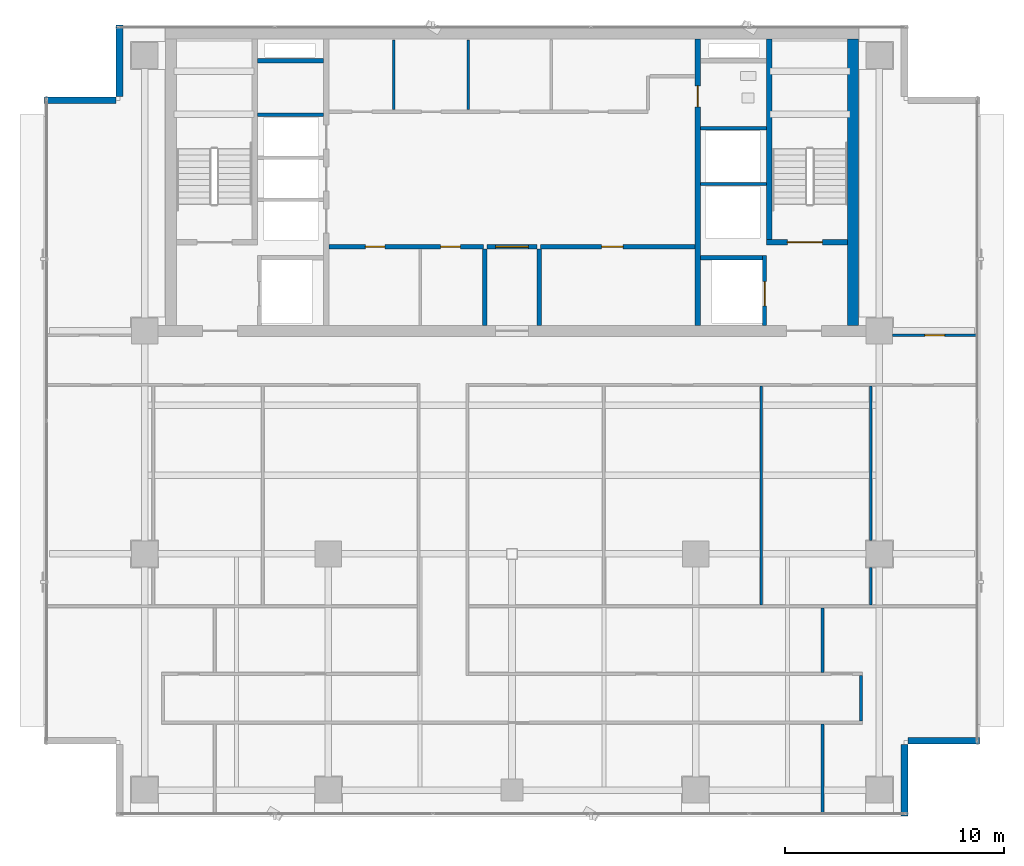
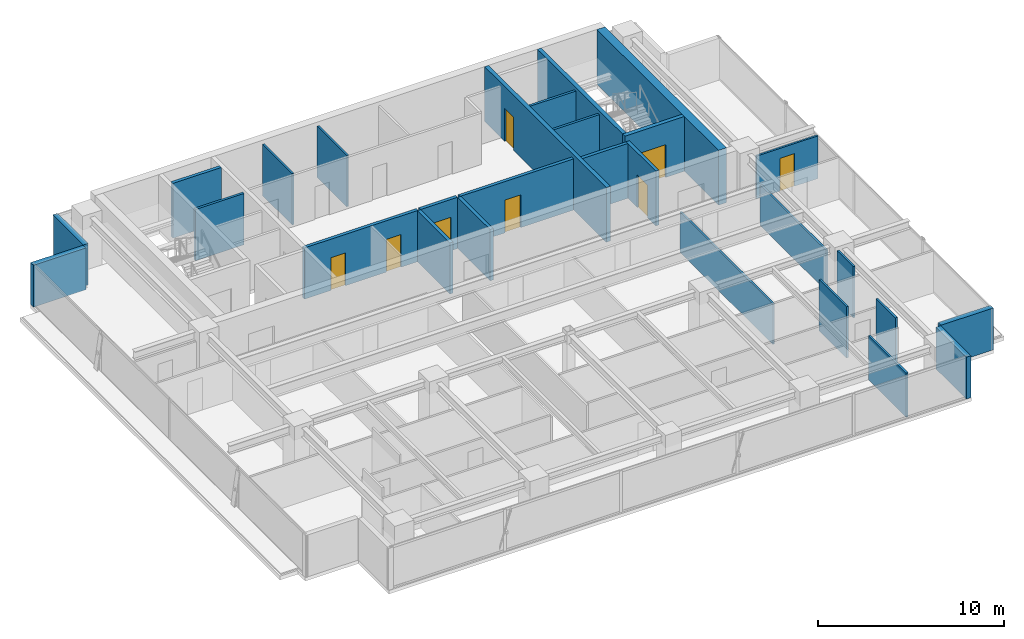
# One storey, part 17 of 22: 28 walls, 8 doors, 8 openings.
"""IFC4 building model written with IfcOpenShell, lengths in metres."""

from ifc_helpers import new_model, si_unit, direction, frame, frame_2d, origin, place, context, subcontext, project, spatial, rectangle, extrude, source, transform, mapped, material, layer, layer_set, type_object, element, fill, save


model = new_model("IFC4")

# Units and contexts
model_context = context("Model", 3, precision=1e-05, world=origin(), true_north=direction((0.0, 1.0)))
body_context = subcontext(model_context, "Body", "Model", "MODEL_VIEW")
ifc_project = project(units=[si_unit("LENGTHUNIT", "METRE"), si_unit("AREAUNIT", "SQUARE_METRE"), si_unit("VOLUMEUNIT", "CUBIC_METRE"), si_unit("PLANEANGLEUNIT", "RADIAN"), si_unit("MASSUNIT", "GRAM", prefix="KILO")], contexts=[model_context])

# Site, building, storey
site_placement = place(None, origin())
site = spatial("IfcSite", under=ifc_project, at=site_placement, CompositionType="ELEMENT")
building_placement = place(site_placement, origin())
building = spatial("IfcBuilding", under=site, at=building_placement, Name="Sumidabori Civic Tower", CompositionType="ELEMENT")
storey_placement = place(building_placement, frame((0.0, 0.0, 272.0)))
storey = spatial("IfcBuildingStorey", under=building, at=storey_placement, Name="L71", CompositionType="ELEMENT", Elevation=272.0)

# Walls
ifc_material_1 = material(Name="Concrete C50/60", Category="concrete")
ifc_layer_1 = layer(ifc_material_1, 0.199951171875, Name="Concrete C50/60")
ifc_layer_set_1 = layer_set([ifc_layer_1], Name="Concrete C50/60")
wall_type_1 = type_object("IfcWallType", Name="WL-SHAFT-200", PredefinedType="SHEAR", material=ifc_layer_set_1)
shared_shape_1 = source(origin(), body_context, "Body", "SweptSolid", [
    extrude(rectangle(XDim=2.824951171875, YDim=0.199951171875, at=frame_2d((1.41259765625, 0.0))), origin(), (0.0, 0.0, 1.0), 3.60009765625),
])
wall_1_placement = place(storey_placement, frame((8.625, 13.550048828125, 0.0), z_axis=(0.0, 0.0, 1.0), x_axis=(1.0, 0.0, 0.0)))
element("IfcWall", 1, at=wall_1_placement, inside=storey, type_object=wall_type_1, Name="Core Shear Wall L71 EL2-N", PredefinedType="SHEAR", context=body_context, shape_type="MappedRepresentation", body=[
    mapped(shared_shape_1, transform((0.0, 0.0, 0.0), x_axis=(1.0, 0.0, 0.0), y_axis=(0.0, 1.0, 0.0), z_axis=(0.0, 0.0, 1.0), scale=1.0)),
])
shared_shape_2 = source(origin(), body_context, "Body", "SweptSolid", [
    extrude(rectangle(XDim=3.02001953125, YDim=0.199951171875, at=frame_2d((1.510009765625, 0.0))), origin(), (0.0, 0.0, 1.0), 3.60009765625),
])
wall_2_placement = place(storey_placement, frame((-11.64501953125, 22.550048828125, 0.0), z_axis=(0.0, 0.0, 1.0), x_axis=(1.0, 0.0, 0.0)))
element("IfcWall", 2, at=wall_2_placement, inside=storey, type_object=wall_type_1, Name="Core Shear Wall L71 RIS1-S", PredefinedType="SHEAR", context=body_context, shape_type="MappedRepresentation", body=[
    mapped(shared_shape_2, transform((0.0, 0.0, 0.0), x_axis=(1.0, 0.0, 0.0), y_axis=(0.0, 1.0, 0.0), z_axis=(0.0, 0.0, 1.0), scale=1.0)),
])
ifc_layer_2 = layer(ifc_material_1, 0.5, Name="Concrete C50/60")
ifc_layer_set_2 = layer_set([ifc_layer_2], Name="Concrete C50/60")
wall_type_2 = type_object("IfcWallType", Name="WL-CORE-500", PredefinedType="SHEAR", material=ifc_layer_set_2)
shared_shape_3 = source(origin(), body_context, "Body", "SweptSolid", [
    extrude(rectangle(XDim=13.10009765625, YDim=0.5, at=frame_2d((6.550048828125, 0.0))), origin(), (0.0, 0.0, 1.0), 3.60009765625),
])
wall_3_placement = place(storey_placement, frame((15.60009765625, 10.449951171875, 0.0), z_axis=(0.0, 0.0, 1.0), x_axis=(0.0, 1.0, 0.0)))
element("IfcWall", 3, at=wall_3_placement, inside=storey, type_object=wall_type_2, Name="Core Shear Wall L71 E", PredefinedType="SHEAR", context=body_context, shape_type="MappedRepresentation", body=[
    mapped(shared_shape_3, transform((0.0, 0.0, 0.0), x_axis=(1.0, 0.0, 0.0), y_axis=(0.0, 1.0, 0.0), z_axis=(0.0, 0.0, 1.0), scale=1.0)),
])

# Wall, opening, door
ifc_layer_3 = layer(ifc_material_1, 0.25, Name="Concrete C50/60")
ifc_layer_set_3 = layer_set([ifc_layer_3], Name="Concrete C50/60")
wall_type_3 = type_object("IfcWallType", Name="WL-SHAFT-250", PredefinedType="SHEAR", material=ifc_layer_set_3)
shared_shape_4 = source(origin(), body_context, "Body", "SweptSolid", [
    extrude(rectangle(XDim=13.10009765625, YDim=0.25, at=frame_2d((6.550048828125, 0.0))), origin(), (0.0, 0.0, 1.0), 3.60009765625),
])
wall_4_placement = place(storey_placement, frame((8.5, 10.449951171875, 0.0), z_axis=(0.0, 0.0, 1.0), x_axis=(0.0, 1.0, 0.0)))
wall_4 = element("IfcWall", 4, at=wall_4_placement, inside=storey, type_object=wall_type_3, Name="Core Shear Wall L71 WEB-E", PredefinedType="SHEAR", context=body_context, shape_type="MappedRepresentation", body=[
    mapped(shared_shape_4, transform((0.0, 0.0, 0.0), x_axis=(1.0, 0.0, 0.0), y_axis=(0.0, 1.0, 0.0), z_axis=(0.0, 0.0, 1.0), scale=1.0)),
])
opening_1_placement = place(wall_4_placement, frame((10.0, 0.0, 0.0)))
opening_1 = element("IfcOpeningElement", 5, at=opening_1_placement, cuts=wall_4, Name="Opening DR-2", PredefinedType="OPENING", context=body_context, shape_type="SweptSolid", body=[
    extrude(rectangle(XDim=0.949951171875, YDim=2.14990234375, at=frame_2d((0.47509765625, 1.074951171875))), frame((0.0, 0.136962890625, 0.0), z_axis=(0.0, -1.0, 0.0), x_axis=(1.0, 0.0, 0.0)), (0.0, 0.0, 1.0), 0.27392578125),
])
ifc_material_2 = material(Name="Japanese Hinoki Timber", Category="wood")
door_type_1 = type_object("IfcDoorType", Name="DR-INT-950", OperationType="NOTDEFINED", PredefinedType="DOOR", material=ifc_material_2)
shared_shape_5 = source(origin(), body_context, "Body", "SweptSolid", [
    extrude(rectangle(XDim=0.949951171875, YDim=2.14990234375, at=frame_2d((0.47509765625, 1.074951171875))), frame((0.0, 0.02490234375, 0.0), z_axis=(0.0, -1.0, 0.0), x_axis=(1.0, 0.0, 0.0)), (0.0, 0.0, 1.0), 0.050048828125),
])
door_1_placement = place(opening_1_placement, origin())
door_1 = element("IfcDoor", 6, at=door_1_placement, inside=storey, type_object=door_type_1, Name="Door DR:L71:WC-ACC", OperationType="SINGLE_SWING_RIGHT", OverallHeight=2.14990234375, OverallWidth=0.949951171875, PredefinedType="DOOR", context=body_context, shape_type="MappedRepresentation", body=[
    mapped(shared_shape_5, transform((0.0, 0.0, 0.0), x_axis=(1.0, 0.0, 0.0), y_axis=(0.0, 1.0, 0.0), z_axis=(0.0, 0.0, 1.0), scale=1.0)),
])
fill(opening_1, door_1)

shared_shape_6 = source(origin(), body_context, "Body", "SweptSolid", [
    extrude(rectangle(XDim=3.705078125, YDim=0.25, at=frame_2d((1.8525390625, 0.0))), origin(), (0.0, 0.0, 1.0), 3.60009765625),
])
wall_5_placement = place(storey_placement, frame((11.64501953125, 14.25, 0.0), z_axis=(0.0, 0.0, 1.0), x_axis=(1.0, 0.0, 0.0)))
wall_5 = element("IfcWall", 7, at=wall_5_placement, inside=storey, type_object=wall_type_3, Name="Core Shear Wall L71 ST2-S", PredefinedType="SHEAR", context=body_context, shape_type="MappedRepresentation", body=[
    mapped(shared_shape_6, transform((0.0, 0.0, 0.0), x_axis=(1.0, 0.0, 0.0), y_axis=(0.0, 1.0, 0.0), z_axis=(0.0, 0.0, 1.0), scale=1.0)),
])
opening_2_placement = place(wall_5_placement, frame((0.949951171875, 0.0, 0.0)))
opening_2 = element("IfcOpeningElement", 8, at=opening_2_placement, cuts=wall_5, Name="Opening DR-FD4", PredefinedType="OPENING", context=body_context, shape_type="SweptSolid", body=[
    extrude(rectangle(XDim=1.60009765625, YDim=2.14990234375, at=frame_2d((0.800048828125, 1.074951171875))), frame((0.0, 0.136962890625, 0.0), z_axis=(0.0, -1.0, 0.0), x_axis=(1.0, 0.0, 0.0)), (0.0, 0.0, 1.0), 0.27392578125),
])
ifc_material_3 = material(Name="Steel SN490", Category="steel")
door_type_2 = type_object("IfcDoorType", Name="DR-FD4", OperationType="DOUBLE_DOOR_SINGLE_SWING", PredefinedType="DOOR", material=ifc_material_3)
shared_shape_7 = source(origin(), body_context, "Body", "SweptSolid", [
    extrude(rectangle(XDim=1.60009765625, YDim=2.14990234375, at=frame_2d((0.800048828125, 1.074951171875))), frame((0.0, 0.02490234375, 0.0), z_axis=(0.0, -1.0, 0.0), x_axis=(1.0, 0.0, 0.0)), (0.0, 0.0, 1.0), 0.050048828125),
])
door_2_placement = place(opening_2_placement, origin())
door_2 = element("IfcDoor", 9, at=door_2_placement, inside=storey, type_object=door_type_2, Name="Door DR:L71:ST2", OperationType="DOUBLE_DOOR_SINGLE_SWING", OverallHeight=2.14990234375, OverallWidth=1.60009765625, PredefinedType="DOOR", context=body_context, shape_type="MappedRepresentation", body=[
    mapped(shared_shape_7, transform((0.0, 0.0, 0.0), x_axis=(1.0, 0.0, 0.0), y_axis=(0.0, 1.0, 0.0), z_axis=(0.0, 0.0, 1.0), scale=1.0)),
])
fill(opening_2, door_2)

# Wall
shared_shape_8 = source(origin(), body_context, "Body", "SweptSolid", [
    extrude(rectangle(XDim=9.175048828125, YDim=0.25, at=frame_2d((4.58740234375, 0.0))), origin(), (0.0, 0.0, 1.0), 3.60009765625),
])
wall_6_placement = place(storey_placement, frame((11.77001953125, 14.375, 0.0), z_axis=(0.0, 0.0, 1.0), x_axis=(0.0, 1.0, 0.0)))
element("IfcWall", 10, at=wall_6_placement, inside=storey, type_object=wall_type_3, Name="Core Shear Wall L71 ST2-W", PredefinedType="SHEAR", context=body_context, shape_type="MappedRepresentation", body=[
    mapped(shared_shape_8, transform((0.0, 0.0, 0.0), x_axis=(1.0, 0.0, 0.0), y_axis=(0.0, 1.0, 0.0), z_axis=(0.0, 0.0, 1.0), scale=1.0)),
])

# Wall, opening, door
shared_shape_9 = source(origin(), body_context, "Body", "SweptSolid", [
    extrude(rectangle(XDim=3.199951171875, YDim=0.199951171875, at=frame_2d((1.60009765625, 0.0))), origin(), (0.0, 0.0, 1.0), 3.60009765625),
])
wall_7_placement = place(storey_placement, frame((11.550048828125, 10.449951171875, 0.0), z_axis=(0.0, 0.0, 1.0), x_axis=(0.0, 1.0, 0.0)))
wall_7 = element("IfcWall", 11, at=wall_7_placement, inside=storey, type_object=wall_type_1, Name="Core Shear Wall L71 EL2-E", PredefinedType="SHEAR", context=body_context, shape_type="MappedRepresentation", body=[
    mapped(shared_shape_9, transform((0.0, 0.0, 0.0), x_axis=(1.0, 0.0, 0.0), y_axis=(0.0, 1.0, 0.0), z_axis=(0.0, 0.0, 1.0), scale=1.0)),
])
opening_3_placement = place(wall_7_placement, frame((0.89990234375, 0.0, 0.0)))
opening_3 = element("IfcOpeningElement", 12, at=opening_3_placement, cuts=wall_7, Name="Opening LD-2", PredefinedType="OPENING", context=body_context, shape_type="SweptSolid", body=[
    extrude(rectangle(XDim=1.10009765625, YDim=2.14990234375, at=frame_2d((0.550048828125, 1.074951171875))), frame((0.0, 0.11181640625, 0.0), z_axis=(0.0, -1.0, 0.0), x_axis=(1.0, 0.0, 0.0)), (0.0, 0.0, 1.0), 0.223876953125),
])
ifc_material_4 = material(Name="Stainless Steel Hairline Finish", Category="steel")
door_type_3 = type_object("IfcDoorType", Name="DR-LD2", OperationType="DOUBLE_DOOR_SLIDING", PredefinedType="DOOR", material=ifc_material_4)
shared_shape_10 = source(origin(), body_context, "Body", "SweptSolid", [
    extrude(rectangle(XDim=1.10009765625, YDim=2.14990234375, at=frame_2d((0.550048828125, 1.074951171875))), frame((0.0, 0.02490234375, 0.0), z_axis=(0.0, -1.0, 0.0), x_axis=(1.0, 0.0, 0.0)), (0.0, 0.0, 1.0), 0.050048828125),
])
door_3_placement = place(opening_3_placement, origin())
door_3 = element("IfcDoor", 13, at=door_3_placement, inside=storey, type_object=door_type_3, Name="Door DR:L71:LD-EL2", OperationType="DOUBLE_DOOR_SLIDING", OverallHeight=2.14990234375, OverallWidth=1.10009765625, PredefinedType="DOOR", context=body_context, shape_type="MappedRepresentation", body=[
    mapped(shared_shape_10, transform((0.0, 0.0, 0.0), x_axis=(1.0, 0.0, 0.0), y_axis=(0.0, 1.0, 0.0), z_axis=(0.0, 0.0, 1.0), scale=1.0)),
])
fill(opening_3, door_3)

# Walls
ifc_material_5 = material(Name="Precast concrete C40/50", Category="concrete")
ifc_layer_4 = layer(ifc_material_5, 0.300048828125, Name="Precast concrete C40/50")
ifc_layer_set_4 = layer_set([ifc_layer_4], Name="Precast concrete C40/50")
wall_type_4 = type_object("IfcWallType", Name="WL-EXT-POD300", PredefinedType="STANDARD", material=ifc_layer_set_4)
shared_shape_11 = source(origin(), body_context, "Body", "SweptSolid", [
    extrude(rectangle(XDim=3.260009765625, YDim=0.300048828125, at=frame_2d((1.6298828125, 0.0))), origin(), (0.0, 0.0, 1.0), 2.75),
])
for number, where, z_axis, x_axis, name in (
    (14, (17.949951171875, -11.97998046875, 0.0), (0.0, 0.0, 1.0), (0.0, 1.0, 0.0), "Notched Corner Spandrel Band L71-02"),
    (15, (-17.949951171875, 24.179931640625, 0.0), (0.0, 0.0, 1.0), (0.0, -1.0, 0.0), "Notched Corner Spandrel Band L71-08"),
):
    element("IfcWall", number, at=place(storey_placement, frame(where, z_axis=z_axis, x_axis=x_axis)), inside=storey, type_object=wall_type_4, Name=name, PredefinedType="STANDARD", context=body_context, shape_type="MappedRepresentation", body=[
        mapped(shared_shape_11, transform((0.0, 0.0, 0.0), x_axis=(1.0, 0.0, 0.0), y_axis=(0.0, 1.0, 0.0), z_axis=(0.0, 0.0, 1.0), scale=1.0)),
    ])
shared_shape_12 = source(origin(), body_context, "Body", "SweptSolid", [
    extrude(rectangle(XDim=3.259765625, YDim=0.300048828125, at=frame_2d((1.6298828125, 0.0))), origin(), (0.0, 0.0, 1.0), 2.75),
])
for number, where, z_axis, x_axis, name in (
    (16, (18.1201171875, -8.550048828125, 0.0), (0.0, 0.0, 1.0), (1.0, 0.0, 0.0), "Notched Corner Spandrel Band L71-03"),
    (17, (-18.1201171875, 20.75, 0.0), (0.0, 0.0, 1.0), (-1.0, 0.0, 0.0), "Notched Corner Spandrel Band L71-09"),
):
    element("IfcWall", number, at=place(storey_placement, frame(where, z_axis=z_axis, x_axis=x_axis)), inside=storey, type_object=wall_type_4, Name=name, PredefinedType="STANDARD", context=body_context, shape_type="MappedRepresentation", body=[
        mapped(shared_shape_12, transform((0.0, 0.0, 0.0), x_axis=(1.0, 0.0, 0.0), y_axis=(0.0, 1.0, 0.0), z_axis=(0.0, 0.0, 1.0), scale=1.0)),
    ])
ifc_material_6 = material(Name="Gypsum Plasterboard Acoustic Partition")
ifc_layer_5 = layer(ifc_material_6, 0.14990234375, Name="Gypsum Plasterboard Acoustic Partition")
ifc_layer_set_5 = layer_set([ifc_layer_5], Name="Gypsum Plasterboard Acoustic Partition")
wall_type_5 = type_object("IfcWallType", Name="WL-PART-150", PredefinedType="PARTITIONING", material=ifc_layer_set_5)
shared_shape_13 = source(origin(), body_context, "Body", "SweptSolid", [
    extrude(rectangle(XDim=3.010009765625, YDim=0.14990234375, at=frame_2d((1.5048828125, 0.0))), origin(), (0.0, 0.0, 1.0), 3.3701171875),
])
for number, where, z_axis, x_axis, name in (
    (18, (-11.639892578125, 20.080078125, 0.0), (0.0, 0.0, 1.0), (1.0, 0.0, 0.0), "Interior Partition WL:L71:DIV-PLH3"),
    (19, (8.6298828125, 16.919921875, 0.0), (0.0, 0.0, 1.0), (1.0, 0.0, 0.0), "Interior Partition WL:L71:DIV-OBS1"),
    (20, (8.6298828125, 19.469970703125, 0.0), (0.0, 0.0, 1.0), (1.0, 0.0, 0.0), "Interior Partition WL:L71:DIV-OBS2"),
):
    element("IfcWall", number, at=place(storey_placement, frame(where, z_axis=z_axis, x_axis=x_axis)), inside=storey, type_object=wall_type_5, Name=name, PredefinedType="PARTITIONING", context=body_context, shape_type="MappedRepresentation", body=[
        mapped(shared_shape_13, transform((0.0, 0.0, 0.0), x_axis=(1.0, 0.0, 0.0), y_axis=(0.0, 1.0, 0.0), z_axis=(0.0, 0.0, 1.0), scale=1.0)),
    ])

# Wall, openings, doors
ifc_material_7 = material(Name="Gypsum Plasterboard Fire Partition")
ifc_layer_6 = layer(ifc_material_7, 0.199951171875, Name="Gypsum Plasterboard Fire Partition")
ifc_layer_set_6 = layer_set([ifc_layer_6], Name="Gypsum Plasterboard Fire Partition")
wall_type_6 = type_object("IfcWallType", Name="WL-PART-FIRE", PredefinedType="PARTITIONING", material=ifc_layer_set_6)
shared_shape_14 = source(origin(), body_context, "Body", "SweptSolid", [
    extrude(rectangle(XDim=7.070068359375, YDim=0.199951171875, at=frame_2d((3.53515625, 0.0))), origin(), (0.0, 0.0, 1.0), 3.3701171875),
])
wall_8_placement = place(storey_placement, frame((-8.3701171875, 14.050048828125, 0.0), z_axis=(0.0, 0.0, 1.0), x_axis=(1.0, 0.0, 0.0)))
wall_8 = element("IfcWall", 21, at=wall_8_placement, inside=storey, type_object=wall_type_6, Name="Interior Partition WL:L71:CBAND-SW", PredefinedType="PARTITIONING", context=body_context, shape_type="MappedRepresentation", body=[
    mapped(shared_shape_14, transform((0.0, 0.0, 0.0), x_axis=(1.0, 0.0, 0.0), y_axis=(0.0, 1.0, 0.0), z_axis=(0.0, 0.0, 1.0), scale=1.0)),
])
opening_4_placement = place(wall_8_placement, frame((1.659912109375, 0.0, 0.0)))
opening_4 = element("IfcOpeningElement", 22, at=opening_4_placement, cuts=wall_8, Name="Opening DR-1", PredefinedType="OPENING", context=body_context, shape_type="SweptSolid", body=[
    extrude(rectangle(XDim=0.89990234375, YDim=2.14990234375, at=frame_2d((0.449951171875, 1.074951171875))), frame((0.0, 0.11181640625, 0.0), z_axis=(0.0, -1.0, 0.0), x_axis=(1.0, 0.0, 0.0)), (0.0, 0.0, 1.0), 0.223876953125),
])
opening_5_placement = place(wall_8_placement, frame((5.110107421875, 0.0, 0.0)))
opening_5 = element("IfcOpeningElement", 23, at=opening_5_placement, cuts=wall_8, Name="Opening DR-1", PredefinedType="OPENING", context=body_context, shape_type="SweptSolid", body=[
    extrude(rectangle(XDim=0.89990234375, YDim=2.14990234375, at=frame_2d((0.449951171875, 1.074951171875))), frame((0.0, 0.11181640625, 0.0), z_axis=(0.0, -1.0, 0.0), x_axis=(1.0, 0.0, 0.0)), (0.0, 0.0, 1.0), 0.223876953125),
])
door_type_4 = type_object("IfcDoorType", Name="DR-INT-900", OperationType="NOTDEFINED", PredefinedType="DOOR", material=ifc_material_2)
shared_shape_15 = source(origin(), body_context, "Body", "SweptSolid", [
    extrude(rectangle(XDim=0.89990234375, YDim=2.14990234375, at=frame_2d((0.449951171875, 1.074951171875))), frame((0.0, 0.02490234375, 0.0), z_axis=(0.0, -1.0, 0.0), x_axis=(1.0, 0.0, 0.0)), (0.0, 0.0, 1.0), 0.050048828125),
])
door_4_placement = place(opening_4_placement, origin())
door_4 = element("IfcDoor", 24, at=door_4_placement, inside=storey, type_object=door_type_4, Name="Door DR:L71:REC-B1A", OperationType="SINGLE_SWING_LEFT", OverallHeight=2.14990234375, OverallWidth=0.89990234375, PredefinedType="DOOR", context=body_context, shape_type="MappedRepresentation", body=[
    mapped(shared_shape_15, transform((0.0, 0.0, 0.0), x_axis=(1.0, 0.0, 0.0), y_axis=(0.0, 1.0, 0.0), z_axis=(0.0, 0.0, 1.0), scale=1.0)),
])
fill(opening_4, door_4)
door_5_placement = place(opening_5_placement, origin())
door_5 = element("IfcDoor", 25, at=door_5_placement, inside=storey, type_object=door_type_4, Name="Door DR:L71:REC-B1B", OperationType="SINGLE_SWING_RIGHT", OverallHeight=2.14990234375, OverallWidth=0.89990234375, PredefinedType="DOOR", context=body_context, shape_type="MappedRepresentation", body=[
    mapped(shared_shape_15, transform((0.0, 0.0, 0.0), x_axis=(1.0, 0.0, 0.0), y_axis=(0.0, 1.0, 0.0), z_axis=(0.0, 0.0, 1.0), scale=1.0)),
])
fill(opening_5, door_5)

# Wall, opening, door
wall_9_placement = place(storey_placement, frame((1.300048828125, 14.050048828125, 0.0), z_axis=(0.0, 0.0, 1.0), x_axis=(1.0, 0.0, 0.0)))
wall_9 = element("IfcWall", 26, at=wall_9_placement, inside=storey, type_object=wall_type_6, Name="Interior Partition WL:L71:CBAND-SE", PredefinedType="PARTITIONING", context=body_context, shape_type="MappedRepresentation", body=[
    mapped(shared_shape_14, transform((0.0, 0.0, 0.0), x_axis=(1.0, 0.0, 0.0), y_axis=(0.0, 1.0, 0.0), z_axis=(0.0, 0.0, 1.0), scale=1.0)),
])
opening_6_placement = place(wall_9_placement, frame((2.800048828125, 0.0, 0.0)))
opening_6 = element("IfcOpeningElement", 27, at=opening_6_placement, cuts=wall_9, Name="Opening DR-3", PredefinedType="OPENING", context=body_context, shape_type="SweptSolid", body=[
    extrude(rectangle(XDim=0.97998046875, YDim=2.14990234375, at=frame_2d((0.489990234375, 1.074951171875))), frame((0.0, 0.11181640625, 0.0), z_axis=(0.0, -1.0, 0.0), x_axis=(1.0, 0.0, 0.0)), (0.0, 0.0, 1.0), 0.223876953125),
])
door_type_5 = type_object("IfcDoorType", Name="DR-INT-980", OperationType="NOTDEFINED", PredefinedType="DOOR", material=ifc_material_2)
shared_shape_16 = source(origin(), body_context, "Body", "SweptSolid", [
    extrude(rectangle(XDim=0.97998046875, YDim=2.14990234375, at=frame_2d((0.489990234375, 1.074951171875))), frame((0.0, 0.02490234375, 0.0), z_axis=(0.0, -1.0, 0.0), x_axis=(1.0, 0.0, 0.0)), (0.0, 0.0, 1.0), 0.050048828125),
])
door_6_placement = place(opening_6_placement, origin())
door_6 = element("IfcDoor", 28, at=door_6_placement, inside=storey, type_object=door_type_5, Name="Door DR:L71:REC-B2", OperationType="SINGLE_SWING_RIGHT", OverallHeight=2.14990234375, OverallWidth=0.97998046875, PredefinedType="DOOR", context=body_context, shape_type="MappedRepresentation", body=[
    mapped(shared_shape_16, transform((0.0, 0.0, 0.0), x_axis=(1.0, 0.0, 0.0), y_axis=(0.0, 1.0, 0.0), z_axis=(0.0, 0.0, 1.0), scale=1.0)),
])
fill(opening_6, door_6)

# Walls
shared_shape_17 = source(origin(), body_context, "Body", "SweptSolid", [
    extrude(rectangle(XDim=3.489990234375, YDim=0.199951171875, at=frame_2d((1.7451171875, 0.0))), origin(), (0.0, 0.0, 1.0), 3.3701171875),
])
for number, where, z_axis, x_axis, name in (
    (29, (-1.25, 10.449951171875, 0.0), (0.0, 0.0, 1.0), (0.0, 1.0, 0.0), "Interior Partition WL:L71:THROAT-W"),
    (30, (1.25, 10.449951171875, 0.0), (0.0, 0.0, 1.0), (0.0, 1.0, 0.0), "Interior Partition WL:L71:THROAT-E"),
):
    element("IfcWall", number, at=place(storey_placement, frame(where, z_axis=z_axis, x_axis=x_axis)), inside=storey, type_object=wall_type_6, Name=name, PredefinedType="PARTITIONING", context=body_context, shape_type="MappedRepresentation", body=[
        mapped(shared_shape_17, transform((0.0, 0.0, 0.0), x_axis=(1.0, 0.0, 0.0), y_axis=(0.0, 1.0, 0.0), z_axis=(0.0, 0.0, 1.0), scale=1.0)),
    ])

# Wall, opening, door
shared_shape_18 = source(origin(), body_context, "Body", "SweptSolid", [
    extrude(rectangle(XDim=2.2998046875, YDim=0.199951171875, at=frame_2d((1.14990234375, 0.0))), origin(), (0.0, 0.0, 1.0), 3.3701171875),
])
wall_10_placement = place(storey_placement, frame((-1.14990234375, 14.050048828125, 0.0), z_axis=(0.0, 0.0, 1.0), x_axis=(1.0, 0.0, 0.0)))
wall_10 = element("IfcWall", 31, at=wall_10_placement, inside=storey, type_object=wall_type_6, Name="Interior Partition WL:L71:THROAT-N", PredefinedType="PARTITIONING", context=body_context, shape_type="MappedRepresentation", body=[
    mapped(shared_shape_18, transform((0.0, 0.0, 0.0), x_axis=(1.0, 0.0, 0.0), y_axis=(0.0, 1.0, 0.0), z_axis=(0.0, 0.0, 1.0), scale=1.0)),
])
opening_7_placement = place(wall_10_placement, frame((0.39990234375, 0.0, 0.0)))
opening_7 = element("IfcOpeningElement", 32, at=opening_7_placement, cuts=wall_10, Name="Opening DR-FD3", PredefinedType="OPENING", context=body_context, shape_type="SweptSolid", body=[
    extrude(rectangle(XDim=1.5, YDim=2.199951171875, at=frame_2d((0.75, 1.10009765625))), frame((0.0, 0.11181640625, 0.0), z_axis=(0.0, -1.0, 0.0), x_axis=(1.0, 0.0, 0.0)), (0.0, 0.0, 1.0), 0.223876953125),
])
door_type_6 = type_object("IfcDoorType", Name="DR-FD-DBL", OperationType="DOUBLE_DOOR_SINGLE_SWING", PredefinedType="DOOR", material=ifc_material_3)
shared_shape_19 = source(origin(), body_context, "Body", "SweptSolid", [
    extrude(rectangle(XDim=1.5, YDim=2.199951171875, at=frame_2d((0.75, 1.10009765625))), frame((0.0, 0.02490234375, 0.0), z_axis=(0.0, -1.0, 0.0), x_axis=(1.0, 0.0, 0.0)), (0.0, 0.0, 1.0), 0.050048828125),
])
door_7_placement = place(opening_7_placement, origin())
door_7 = element("IfcDoor", 33, at=door_7_placement, inside=storey, type_object=door_type_6, Name="Door DR:L71:THROAT-IN", OperationType="DOUBLE_DOOR_SINGLE_SWING", OverallHeight=2.199951171875, OverallWidth=1.5, PredefinedType="DOOR", context=body_context, shape_type="MappedRepresentation", body=[
    mapped(shared_shape_19, transform((0.0, 0.0, 0.0), x_axis=(1.0, 0.0, 0.0), y_axis=(0.0, 1.0, 0.0), z_axis=(0.0, 0.0, 1.0), scale=1.0)),
])
fill(opening_7, door_7)

# Walls
ifc_layer_7 = layer(ifc_material_6, 0.1201171875, Name="Gypsum Plasterboard Acoustic Partition")
ifc_layer_set_7 = layer_set([ifc_layer_7], Name="Gypsum Plasterboard Acoustic Partition")
wall_type_7 = type_object("IfcWallType", Name="WL-PART-120", PredefinedType="PARTITIONING", material=ifc_layer_set_7)
shared_shape_20 = source(origin(), body_context, "Body", "SweptSolid", [
    extrude(rectangle(XDim=3.18994140625, YDim=0.1201171875, at=frame_2d((1.594970703125, 0.0))), origin(), (0.0, 0.0, 1.0), 3.3701171875),
])
for number, where, z_axis, x_axis, name in (
    (34, (-5.39990234375, 20.320068359375, 0.0), (0.0, 0.0, 1.0), (0.0, 1.0, 0.0), "Interior Partition WL:L71:LV8-S1"),
    (35, (-2.0, 20.320068359375, 0.0), (0.0, 0.0, 1.0), (0.0, 1.0, 0.0), "Interior Partition WL:L71:LV8-S2"),
):
    element("IfcWall", number, at=place(storey_placement, frame(where, z_axis=z_axis, x_axis=x_axis)), inside=storey, type_object=wall_type_7, Name=name, PredefinedType="PARTITIONING", context=body_context, shape_type="MappedRepresentation", body=[
        mapped(shared_shape_20, transform((0.0, 0.0, 0.0), x_axis=(1.0, 0.0, 0.0), y_axis=(0.0, 1.0, 0.0), z_axis=(0.0, 0.0, 1.0), scale=1.0)),
    ])

# Wall, opening, door
shared_shape_21 = source(origin(), body_context, "Body", "SweptSolid", [
    extrude(rectangle(XDim=3.840087890625, YDim=0.1201171875, at=frame_2d((1.919921875, 0.0))), origin(), (0.0, 0.0, 1.0), 2.804931640625),
])
wall_11_placement = place(storey_placement, frame((17.409912109375, 10.0, 0.0), z_axis=(0.0, 0.0, 1.0), x_axis=(1.0, 0.0, 0.0)))
wall_11 = element("IfcWall", 36, at=wall_11_placement, inside=storey, type_object=wall_type_7, Name="Interior Partition WL:L71:FLK-NE", PredefinedType="PARTITIONING", context=body_context, shape_type="MappedRepresentation", body=[
    mapped(shared_shape_21, transform((0.0, 0.0, 0.0), x_axis=(1.0, 0.0, 0.0), y_axis=(0.0, 1.0, 0.0), z_axis=(0.0, 0.0, 1.0), scale=1.0)),
])
opening_8_placement = place(wall_11_placement, frame((1.469970703125, 0.0, 0.0)))
opening_8 = element("IfcOpeningElement", 37, at=opening_8_placement, cuts=wall_11, Name="Opening DR-1", PredefinedType="OPENING", context=body_context, shape_type="SweptSolid", body=[
    extrude(rectangle(XDim=0.89990234375, YDim=2.14990234375, at=frame_2d((0.449951171875, 1.074951171875))), frame((0.0, 0.072021484375, 0.0), z_axis=(0.0, -1.0, 0.0), x_axis=(1.0, 0.0, 0.0)), (0.0, 0.0, 1.0), 0.14404296875),
])
door_8_placement = place(opening_8_placement, origin())
door_8 = element("IfcDoor", 38, at=door_8_placement, inside=storey, type_object=door_type_4, Name="Door DR:L71:FLK-NE", OperationType="SINGLE_SWING_RIGHT", OverallHeight=2.14990234375, OverallWidth=0.89990234375, PredefinedType="DOOR", context=body_context, shape_type="MappedRepresentation", body=[
    mapped(shared_shape_15, transform((0.0, 0.0, 0.0), x_axis=(1.0, 0.0, 0.0), y_axis=(0.0, 1.0, 0.0), z_axis=(0.0, 0.0, 1.0), scale=1.0)),
])
fill(opening_8, door_8)

# Walls
shared_shape_22 = source(origin(), body_context, "Body", "SweptSolid", [
    extrude(rectangle(XDim=2.090087890625, YDim=0.1201171875, at=frame_2d((1.044921875, 0.0))), origin(), (0.0, 0.0, 1.0), 3.3701171875),
])
wall_12_placement = place(storey_placement, frame((15.9599609375, -7.64501953125, 0.0), z_axis=(0.0, 0.0, 1.0), x_axis=(0.0, 1.0, 0.0)))
element("IfcWall", 39, at=wall_12_placement, inside=storey, type_object=wall_type_7, Name="Interior Partition WL:L71:CORR-VSE", PredefinedType="PARTITIONING", context=body_context, shape_type="MappedRepresentation", body=[
    mapped(shared_shape_22, transform((0.0, 0.0, 0.0), x_axis=(1.0, 0.0, 0.0), y_axis=(0.0, 1.0, 0.0), z_axis=(0.0, 0.0, 1.0), scale=1.0)),
])
shared_shape_23 = source(origin(), body_context, "Body", "SweptSolid", [
    extrude(rectangle(XDim=1.724853515625, YDim=0.1201171875, at=frame_2d((0.8623046875, 0.0))), origin(), (0.0, 0.0, 1.0), 3.3701171875),
])
wall_13_placement = place(storey_placement, frame((16.39990234375, -2.3349609375, 0.0), z_axis=(0.0, 0.0, 1.0), x_axis=(0.0, 1.0, 0.0)))
element("IfcWall", 40, at=wall_13_placement, inside=storey, type_object=wall_type_7, Name="Interior Partition WL:L71:VX-N5-1", PredefinedType="PARTITIONING", context=body_context, shape_type="MappedRepresentation", body=[
    mapped(shared_shape_23, transform((0.0, 0.0, 0.0), x_axis=(1.0, 0.0, 0.0), y_axis=(0.0, 1.0, 0.0), z_axis=(0.0, 0.0, 1.0), scale=1.0)),
])
shared_shape_24 = source(origin(), body_context, "Body", "SweptSolid", [
    extrude(rectangle(XDim=7.06494140625, YDim=0.1201171875, at=frame_2d((3.532470703125, 0.0))), origin(), (0.0, 0.0, 1.0), 2.655029296875),
])
wall_14_placement = place(storey_placement, frame((16.39990234375, 0.610107421875, 0.0), z_axis=(0.0, 0.0, 1.0), x_axis=(0.0, 1.0, 0.0)))
element("IfcWall", 41, at=wall_14_placement, inside=storey, type_object=wall_type_7, Name="Interior Partition WL:L71:VX-N5-2", PredefinedType="PARTITIONING", context=body_context, shape_type="MappedRepresentation", body=[
    mapped(shared_shape_24, transform((0.0, 0.0, 0.0), x_axis=(1.0, 0.0, 0.0), y_axis=(0.0, 1.0, 0.0), z_axis=(0.0, 0.0, 1.0), scale=1.0)),
])
shared_shape_25 = source(origin(), body_context, "Body", "SweptSolid", [
    extrude(rectangle(XDim=10.010009765625, YDim=0.1201171875, at=frame_2d((5.0048828125, 0.0))), origin(), (0.0, 0.0, 1.0), 2.655029296875),
])
wall_15_placement = place(storey_placement, frame((11.39990234375, -2.3349609375, 0.0), z_axis=(0.0, 0.0, 1.0), x_axis=(0.0, 1.0, 0.0)))
element("IfcWall", 42, at=wall_15_placement, inside=storey, type_object=wall_type_7, Name="Interior Partition WL:L71:VX-N4", PredefinedType="PARTITIONING", context=body_context, shape_type="MappedRepresentation", body=[
    mapped(shared_shape_25, transform((0.0, 0.0, 0.0), x_axis=(1.0, 0.0, 0.0), y_axis=(0.0, 1.0, 0.0), z_axis=(0.0, 0.0, 1.0), scale=1.0)),
])
shared_shape_26 = source(origin(), body_context, "Body", "SweptSolid", [
    extrude(rectangle(XDim=4.0751953125, YDim=0.1201171875, at=frame_2d((2.03759765625, 0.0))), origin(), (0.0, 0.0, 1.0), 2.905029296875),
])
wall_16_placement = place(storey_placement, frame((14.199951171875, -11.85009765625, 0.0), z_axis=(0.0, 0.0, 1.0), x_axis=(0.0, 1.0, 0.0)))
element("IfcWall", 43, at=wall_16_placement, inside=storey, type_object=wall_type_7, Name="Interior Partition WL:L71:VX-S2-1", PredefinedType="PARTITIONING", context=body_context, shape_type="MappedRepresentation", body=[
    mapped(shared_shape_26, transform((0.0, 0.0, 0.0), x_axis=(1.0, 0.0, 0.0), y_axis=(0.0, 1.0, 0.0), z_axis=(0.0, 0.0, 1.0), scale=1.0)),
])
shared_shape_27 = source(origin(), body_context, "Body", "SweptSolid", [
    extrude(rectangle(XDim=2.9599609375, YDim=0.1201171875, at=frame_2d((1.47998046875, 0.0))), origin(), (0.0, 0.0, 1.0), 3.3701171875),
])
wall_17_placement = place(storey_placement, frame((14.199951171875, -5.425048828125, 0.0), z_axis=(0.0, 0.0, 1.0), x_axis=(0.0, 1.0, 0.0)))
element("IfcWall", 44, at=wall_17_placement, inside=storey, type_object=wall_type_7, Name="Interior Partition WL:L71:VX-S2-2", PredefinedType="PARTITIONING", context=body_context, shape_type="MappedRepresentation", body=[
    mapped(shared_shape_27, transform((0.0, 0.0, 0.0), x_axis=(1.0, 0.0, 0.0), y_axis=(0.0, 1.0, 0.0), z_axis=(0.0, 0.0, 1.0), scale=1.0)),
])

save(model, "model.ifc")
